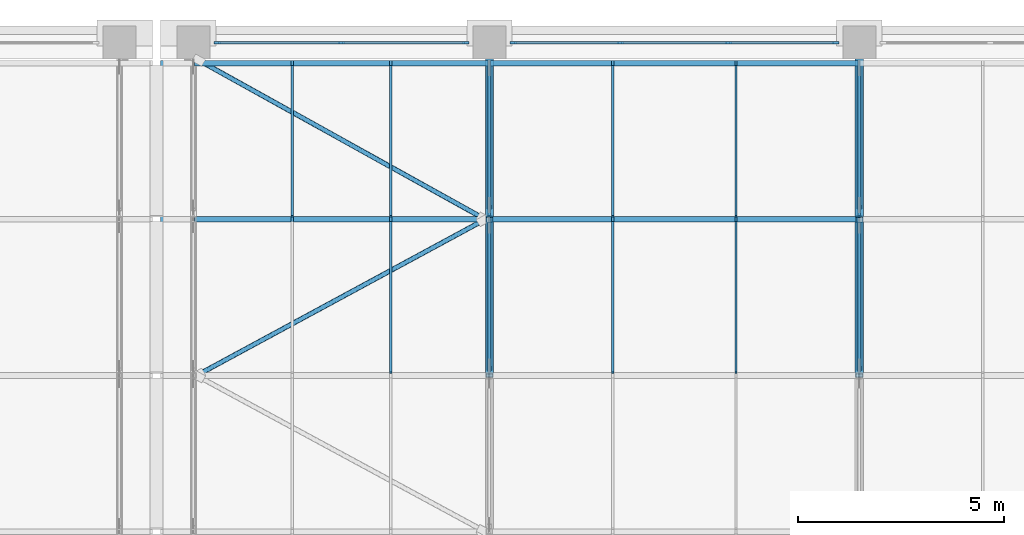
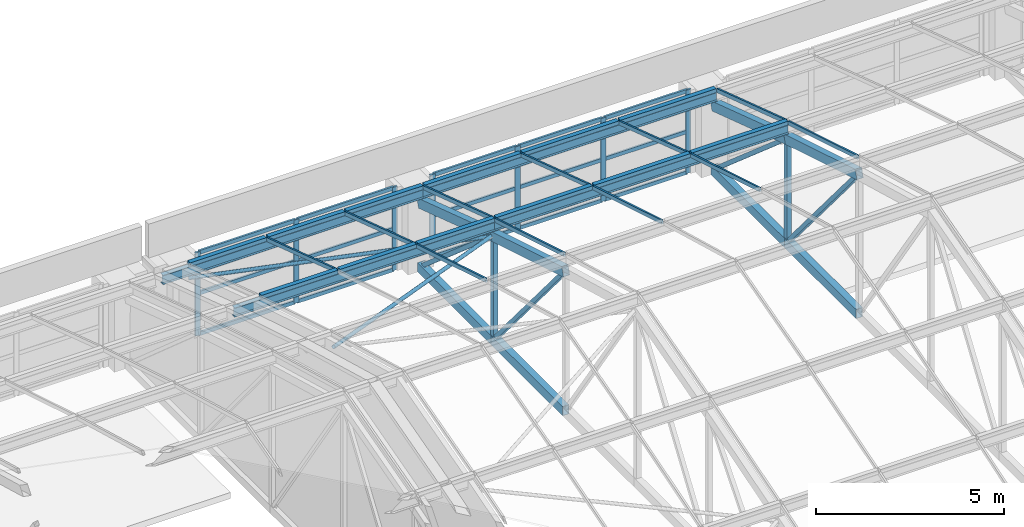
# One storey, part 29 of 82: 65 members, 3 elements without a shape of their own.
"""IFC4 building model written with IfcOpenShell, lengths in metres."""

from ifc_helpers import new_model, si_unit, direction, frame, origin, origin_2d, place, context, subcontext, project, spatial, rectangle, hollow_rectangle, hollow_circle, i_section, extrude, material, material_profile, profile_set, type_object, element, aggregate, save


model = new_model("IFC4")

# Units and contexts
model_context = context("Model", 3, precision=1e-05, world=origin(), true_north=direction((0.0, 1.0)))
body_context = subcontext(model_context, "Body", "Model", "MODEL_VIEW")
ifc_project = project(units=[si_unit("LENGTHUNIT", "METRE"), si_unit("AREAUNIT", "SQUARE_METRE"), si_unit("VOLUMEUNIT", "CUBIC_METRE"), si_unit("PLANEANGLEUNIT", "RADIAN"), si_unit("MASSUNIT", "GRAM", prefix="KILO")], contexts=[model_context])

# Site, building, storey
site_placement = place(None, origin())
site = spatial("IfcSite", under=ifc_project, at=site_placement, CompositionType="ELEMENT")
building_placement = place(site_placement, origin())
building = spatial("IfcBuilding", under=site, at=building_placement, Name="Aravalli Gate Trade Fair Centre", CompositionType="ELEMENT")
storey_placement = place(building_placement, frame((0.0, 0.0, 19.199951171875)))
storey = spatial("IfcBuildingStorey", under=building, at=storey_placement, Name="L04", CompositionType="ELEMENT", Elevation=19.199951171875)

# Members
ifc_material_1 = material(Name="Steel E350", Category="steel")
ifc_material_profile_1 = material_profile(ifc_material_1, hollow_circle(Radius=0.05712890625, WallThickness=0.00439453125, at=origin_2d()), Name="CHS 114.3x4.5")
ifc_profile_set_1 = profile_set([ifc_material_profile_1], Name="Steel E350")
member_type_1 = type_object("IfcMemberType", Name="CHS 114.3x4.5 roof plan brace", PredefinedType="BRACE", material=ifc_profile_set_1)
member_1_placement = place(storey_placement, frame((106.875, 124.89990234375, 4.699462890625), z_axis=(0.870176936991, 0.470713283668, -0.145674647442), x_axis=(-0.47578873559, 0.879559593823, 0.0)))
element("IfcMember", 1, at=member_1_placement, inside=storey, type_object=member_type_1, Name="Vault plan brace 13.5", PredefinedType="BRACE", context=body_context, shape_type="SweptSolid", body=[
    extrude(hollow_circle(Radius=0.05712890625, WallThickness=0.00439453125, at=origin_2d()), origin(), (0.0, 0.0, 1.0), 8.072998046875),
])
member_2_placement = place(storey_placement, frame((106.875, 132.60009765625, 2.265625), z_axis=(0.863793845174, -0.479568592363, 0.154512647568), x_axis=(0.485397826821, 0.874293400248, 0.0)))
element("IfcMember", 2, at=member_2_placement, inside=storey, type_object=member_type_1, Name="Vault plan brace 13.6", PredefinedType="BRACE", context=body_context, shape_type="SweptSolid", body=[
    extrude(hollow_circle(Radius=0.05712890625, WallThickness=0.00439453125, at=origin_2d()), origin(), (0.0, 0.0, 1.0), 8.132568359375),
])

# Curtain wall, members
ifc_material_2 = material(Name="Aluminium and glass", Category="aluminium")
curtain_wall_type_1 = type_object("IfcCurtainWallType", Name="Curtain wall 3000 module", PredefinedType="NOTDEFINED", material=ifc_material_2)
curtain_wall_1_placement = place(storey_placement, origin())
curtain_wall_1 = element("IfcCurtainWall", 3, at=curtain_wall_1_placement, inside=storey, type_object=curtain_wall_type_1, Name="Curtain wall north bay 13 L04", PredefinedType="NOTDEFINED")
ifc_material_3 = material(Name="Aluminium", Category="aluminium")
ifc_material_profile_2 = material_profile(ifc_material_3, rectangle(XDim=0.06005859375, YDim=0.159912109375, at=origin_2d()), Name="Concourse curtain wall mullion 60 x 160")
ifc_profile_set_2 = profile_set([ifc_material_profile_2], Name="Aluminium")
member_type_2 = type_object("IfcMemberType", Name="Concourse curtain wall mullion 60 x 160", PredefinedType="MULLION", material=ifc_profile_set_2)
member_3_placement = place(storey_placement, frame((107.3798828125, 133.0, 0.0), z_axis=(0.0, 0.0, 1.0), x_axis=(0.0, 1.0, 0.0)))
member_3 = element("IfcMember", 4, at=member_3_placement, type_object=member_type_2, Name="CW1 mullion 1", PredefinedType="MULLION", context=body_context, shape_type="SweptSolid", body=[
    extrude(rectangle(XDim=0.06005859375, YDim=0.159912109375, at=origin_2d()), origin(), (0.0, 0.0, 1.0), 2.699951171875),
])
member_4_placement = place(storey_placement, frame((110.39990234375, 133.0, 0.0), z_axis=(0.0, 0.0, 1.0), x_axis=(0.0, 1.0, 0.0)))
member_4 = element("IfcMember", 5, at=member_4_placement, type_object=member_type_2, Name="CW1 mullion 2", PredefinedType="MULLION", context=body_context, shape_type="SweptSolid", body=[
    extrude(rectangle(XDim=0.06005859375, YDim=0.159912109375, at=origin_2d()), origin(), (0.0, 0.0, 1.0), 2.699951171875),
])
member_5_placement = place(storey_placement, frame((113.419921875, 133.0, 0.0), z_axis=(0.0, 0.0, 1.0), x_axis=(0.0, 1.0, 0.0)))
member_5 = element("IfcMember", 6, at=member_5_placement, type_object=member_type_2, Name="CW1 mullion 3", PredefinedType="MULLION", context=body_context, shape_type="SweptSolid", body=[
    extrude(rectangle(XDim=0.06005859375, YDim=0.159912109375, at=origin_2d()), origin(), (0.0, 0.0, 1.0), 2.699951171875),
])

curtain_wall_2_placement = place(storey_placement, origin())
curtain_wall_2 = element("IfcCurtainWall", 7, at=curtain_wall_2_placement, inside=storey, type_object=curtain_wall_type_1, Name="Curtain wall north bay 14 L04", PredefinedType="NOTDEFINED")
member_6_placement = place(storey_placement, frame((114.580078125, 133.0, 0.0), z_axis=(0.0, 0.0, 1.0), x_axis=(0.0, 1.0, 0.0)))
member_6 = element("IfcMember", 8, at=member_6_placement, type_object=member_type_2, Name="CW1 mullion 1", PredefinedType="MULLION", context=body_context, shape_type="SweptSolid", body=[
    extrude(rectangle(XDim=0.06005859375, YDim=0.159912109375, at=origin_2d()), origin(), (0.0, 0.0, 1.0), 2.699951171875),
])
member_7_placement = place(storey_placement, frame((117.183349609375, 133.0, 0.0), z_axis=(0.0, 0.0, 1.0), x_axis=(0.0, 1.0, 0.0)))
member_7 = element("IfcMember", 9, at=member_7_placement, type_object=member_type_2, Name="CW1 mullion 2", PredefinedType="MULLION", context=body_context, shape_type="SweptSolid", body=[
    extrude(rectangle(XDim=0.06005859375, YDim=0.159912109375, at=origin_2d()), origin(), (0.0, 0.0, 1.0), 2.699951171875),
])
member_8_placement = place(storey_placement, frame((119.816650390625, 133.0, 0.0), z_axis=(0.0, 0.0, 1.0), x_axis=(0.0, 1.0, 0.0)))
member_8 = element("IfcMember", 10, at=member_8_placement, type_object=member_type_2, Name="CW1 mullion 3", PredefinedType="MULLION", context=body_context, shape_type="SweptSolid", body=[
    extrude(rectangle(XDim=0.06005859375, YDim=0.159912109375, at=origin_2d()), origin(), (0.0, 0.0, 1.0), 2.699951171875),
])
member_9_placement = place(storey_placement, frame((122.419921875, 133.0, 0.0), z_axis=(0.0, 0.0, 1.0), x_axis=(0.0, 1.0, 0.0)))
member_9 = element("IfcMember", 11, at=member_9_placement, type_object=member_type_2, Name="CW1 mullion 4", PredefinedType="MULLION", context=body_context, shape_type="SweptSolid", body=[
    extrude(rectangle(XDim=0.06005859375, YDim=0.159912109375, at=origin_2d()), origin(), (0.0, 0.0, 1.0), 2.699951171875),
])

# Member
ifc_material_profile_3 = material_profile(ifc_material_3, rectangle(XDim=0.06005859375, YDim=0.1201171875, at=origin_2d()), Name="Concourse curtain wall transom 60 x 120")
ifc_profile_set_3 = profile_set([ifc_material_profile_3], Name="Aluminium")
member_type_3 = type_object("IfcMemberType", Name="Concourse curtain wall transom 60 x 120", PredefinedType="USERDEFINED", material=ifc_profile_set_3)
member_10_placement = place(storey_placement, frame((107.409912109375, 133.0, 0.030029296875), z_axis=(1.0, 0.0, 0.0), x_axis=(0.0, 1.0, 0.0)))
member_10 = element("IfcMember", 12, at=member_10_placement, type_object=member_type_3, Name="CW1 transom 1.1", ObjectType="TRANSOM", PredefinedType="USERDEFINED", context=body_context, shape_type="SweptSolid", body=[
    extrude(rectangle(XDim=0.06005859375, YDim=0.1201171875, at=origin_2d()), origin(), (0.0, 0.0, 1.0), 2.960205078125),
])

member_11_placement = place(storey_placement, frame((107.409912109375, 133.0, 1.35009765625), z_axis=(1.0, 0.0, 0.0), x_axis=(0.0, 1.0, 0.0)))
member_11 = element("IfcMember", 13, at=member_11_placement, type_object=member_type_3, Name="CW1 transom 1.2", ObjectType="TRANSOM", PredefinedType="USERDEFINED", context=body_context, shape_type="SweptSolid", body=[
    extrude(rectangle(XDim=0.06005859375, YDim=0.1201171875, at=origin_2d()), origin(), (0.0, 0.0, 1.0), 2.960205078125),
])

member_12_placement = place(storey_placement, frame((107.409912109375, 133.0, 2.670166015625), z_axis=(1.0, 0.0, 0.0), x_axis=(0.0, 1.0, 0.0)))
member_12 = element("IfcMember", 14, at=member_12_placement, type_object=member_type_3, Name="CW1 transom 1.3", ObjectType="TRANSOM", PredefinedType="USERDEFINED", context=body_context, shape_type="SweptSolid", body=[
    extrude(rectangle(XDim=0.06005859375, YDim=0.1201171875, at=origin_2d()), origin(), (0.0, 0.0, 1.0), 2.960205078125),
])

member_13_placement = place(storey_placement, frame((110.429931640625, 133.0, 0.030029296875), z_axis=(1.0, 0.0, 0.0), x_axis=(0.0, 1.0, 0.0)))
member_13 = element("IfcMember", 15, at=member_13_placement, type_object=member_type_3, Name="CW1 transom 2.1", ObjectType="TRANSOM", PredefinedType="USERDEFINED", context=body_context, shape_type="SweptSolid", body=[
    extrude(rectangle(XDim=0.06005859375, YDim=0.1201171875, at=origin_2d()), origin(), (0.0, 0.0, 1.0), 2.9599609375),
])

member_14_placement = place(storey_placement, frame((110.429931640625, 133.0, 1.35009765625), z_axis=(1.0, 0.0, 0.0), x_axis=(0.0, 1.0, 0.0)))
member_14 = element("IfcMember", 16, at=member_14_placement, type_object=member_type_3, Name="CW1 transom 2.2", ObjectType="TRANSOM", PredefinedType="USERDEFINED", context=body_context, shape_type="SweptSolid", body=[
    extrude(rectangle(XDim=0.06005859375, YDim=0.1201171875, at=origin_2d()), origin(), (0.0, 0.0, 1.0), 2.9599609375),
])

member_15_placement = place(storey_placement, frame((110.429931640625, 133.0, 2.670166015625), z_axis=(1.0, 0.0, 0.0), x_axis=(0.0, 1.0, 0.0)))
member_15 = element("IfcMember", 17, at=member_15_placement, type_object=member_type_3, Name="CW1 transom 2.3", ObjectType="TRANSOM", PredefinedType="USERDEFINED", context=body_context, shape_type="SweptSolid", body=[
    extrude(rectangle(XDim=0.06005859375, YDim=0.1201171875, at=origin_2d()), origin(), (0.0, 0.0, 1.0), 2.9599609375),
])

aggregate(curtain_wall_1, [member_3, member_4, member_5, member_10, member_11, member_12, member_13, member_14, member_15])

member_16_placement = place(storey_placement, frame((114.610107421875, 133.0, 0.030029296875), z_axis=(1.0, 0.0, 0.0), x_axis=(0.0, 1.0, 0.0)))
member_16 = element("IfcMember", 18, at=member_16_placement, type_object=member_type_3, Name="CW1 transom 1.1", ObjectType="TRANSOM", PredefinedType="USERDEFINED", context=body_context, shape_type="SweptSolid", body=[
    extrude(rectangle(XDim=0.06005859375, YDim=0.1201171875, at=origin_2d()), origin(), (0.0, 0.0, 1.0), 2.543212890625),
])

member_17_placement = place(storey_placement, frame((114.610107421875, 133.0, 1.35009765625), z_axis=(1.0, 0.0, 0.0), x_axis=(0.0, 1.0, 0.0)))
member_17 = element("IfcMember", 19, at=member_17_placement, type_object=member_type_3, Name="CW1 transom 1.2", ObjectType="TRANSOM", PredefinedType="USERDEFINED", context=body_context, shape_type="SweptSolid", body=[
    extrude(rectangle(XDim=0.06005859375, YDim=0.1201171875, at=origin_2d()), origin(), (0.0, 0.0, 1.0), 2.543212890625),
])

member_18_placement = place(storey_placement, frame((114.610107421875, 133.0, 2.670166015625), z_axis=(1.0, 0.0, 0.0), x_axis=(0.0, 1.0, 0.0)))
member_18 = element("IfcMember", 20, at=member_18_placement, type_object=member_type_3, Name="CW1 transom 1.3", ObjectType="TRANSOM", PredefinedType="USERDEFINED", context=body_context, shape_type="SweptSolid", body=[
    extrude(rectangle(XDim=0.06005859375, YDim=0.1201171875, at=origin_2d()), origin(), (0.0, 0.0, 1.0), 2.543212890625),
])

member_19_placement = place(storey_placement, frame((117.21337890625, 133.0, 0.030029296875), z_axis=(1.0, 0.0, 0.0), x_axis=(0.0, 1.0, 0.0)))
member_19 = element("IfcMember", 21, at=member_19_placement, type_object=member_type_3, Name="CW1 transom 2.1", ObjectType="TRANSOM", PredefinedType="USERDEFINED", context=body_context, shape_type="SweptSolid", body=[
    extrude(rectangle(XDim=0.06005859375, YDim=0.1201171875, at=origin_2d()), origin(), (0.0, 0.0, 1.0), 2.5732421875),
])

member_20_placement = place(storey_placement, frame((117.21337890625, 133.0, 1.35009765625), z_axis=(1.0, 0.0, 0.0), x_axis=(0.0, 1.0, 0.0)))
member_20 = element("IfcMember", 22, at=member_20_placement, type_object=member_type_3, Name="CW1 transom 2.2", ObjectType="TRANSOM", PredefinedType="USERDEFINED", context=body_context, shape_type="SweptSolid", body=[
    extrude(rectangle(XDim=0.06005859375, YDim=0.1201171875, at=origin_2d()), origin(), (0.0, 0.0, 1.0), 2.5732421875),
])

member_21_placement = place(storey_placement, frame((117.21337890625, 133.0, 2.670166015625), z_axis=(1.0, 0.0, 0.0), x_axis=(0.0, 1.0, 0.0)))
member_21 = element("IfcMember", 23, at=member_21_placement, type_object=member_type_3, Name="CW1 transom 2.3", ObjectType="TRANSOM", PredefinedType="USERDEFINED", context=body_context, shape_type="SweptSolid", body=[
    extrude(rectangle(XDim=0.06005859375, YDim=0.1201171875, at=origin_2d()), origin(), (0.0, 0.0, 1.0), 2.5732421875),
])

member_22_placement = place(storey_placement, frame((119.8466796875, 133.0, 0.030029296875), z_axis=(1.0, 0.0, 0.0), x_axis=(0.0, 1.0, 0.0)))
member_22 = element("IfcMember", 24, at=member_22_placement, type_object=member_type_3, Name="CW1 transom 3.1", ObjectType="TRANSOM", PredefinedType="USERDEFINED", context=body_context, shape_type="SweptSolid", body=[
    extrude(rectangle(XDim=0.06005859375, YDim=0.1201171875, at=origin_2d()), origin(), (0.0, 0.0, 1.0), 2.543212890625),
])

member_23_placement = place(storey_placement, frame((119.8466796875, 133.0, 1.35009765625), z_axis=(1.0, 0.0, 0.0), x_axis=(0.0, 1.0, 0.0)))
member_23 = element("IfcMember", 25, at=member_23_placement, type_object=member_type_3, Name="CW1 transom 3.2", ObjectType="TRANSOM", PredefinedType="USERDEFINED", context=body_context, shape_type="SweptSolid", body=[
    extrude(rectangle(XDim=0.06005859375, YDim=0.1201171875, at=origin_2d()), origin(), (0.0, 0.0, 1.0), 2.543212890625),
])

member_24_placement = place(storey_placement, frame((119.8466796875, 133.0, 2.670166015625), z_axis=(1.0, 0.0, 0.0), x_axis=(0.0, 1.0, 0.0)))
member_24 = element("IfcMember", 26, at=member_24_placement, type_object=member_type_3, Name="CW1 transom 3.3", ObjectType="TRANSOM", PredefinedType="USERDEFINED", context=body_context, shape_type="SweptSolid", body=[
    extrude(rectangle(XDim=0.06005859375, YDim=0.1201171875, at=origin_2d()), origin(), (0.0, 0.0, 1.0), 2.543212890625),
])

aggregate(curtain_wall_2, [member_6, member_7, member_8, member_9, member_16, member_17, member_18, member_19, member_20, member_21, member_22, member_23, member_24])

# Members
ifc_material_profile_4 = material_profile(ifc_material_1, i_section(OverallWidth=0.139892578125, OverallDepth=0.300048828125, WebThickness=0.0078125, FlangeThickness=0.01318359375, at=origin_2d()), Name="ISMB 300")
ifc_profile_set_4 = profile_set([ifc_material_profile_4], Name="Steel E350")
member_type_4 = type_object("IfcMemberType", Name="ISMB 300 roof purlin", PredefinedType="PURLIN", material=ifc_profile_set_4)
for number, where, z_axis, x_axis, name in (
    (27, (106.0, 128.699951171875, 3.851318359375), (1.0, 0.0, 0.0), (0.0, 1.0, 0.0), "Vault purlin 12A-13 F5"),
    (28, (106.0, 132.5, 2.60302734375), (1.0, 0.0, 0.0), (0.0, 1.0, 0.0), "Vault purlin 12A-13 F6"),
):
    element("IfcMember", number, at=place(storey_placement, frame(where, z_axis=z_axis, x_axis=x_axis)), inside=storey, type_object=member_type_4, Name=name, PredefinedType="PURLIN", context=body_context, shape_type="SweptSolid", body=[
        extrude(i_section(OverallWidth=0.139892578125, OverallDepth=0.300048828125, WebThickness=0.0078125, FlangeThickness=0.01318359375, at=origin_2d()), origin(), (0.0, 0.0, 1.0), 8.0),
    ])
for number, where, z_axis, x_axis, name in (
    (29, (114.0, 128.699951171875, 3.851318359375), (1.0, 0.0, 0.0), (0.0, 1.0, 0.0), "Vault purlin 13-14 F5"),
    (30, (114.0, 132.5, 2.60302734375), (1.0, 0.0, 0.0), (0.0, 1.0, 0.0), "Vault purlin 13-14 F6"),
):
    element("IfcMember", number, at=place(storey_placement, frame(where, z_axis=z_axis, x_axis=x_axis)), inside=storey, type_object=member_type_4, Name=name, PredefinedType="PURLIN", context=body_context, shape_type="SweptSolid", body=[
        extrude(i_section(OverallWidth=0.139892578125, OverallDepth=0.300048828125, WebThickness=0.0078125, FlangeThickness=0.01318359375, at=origin_2d()), origin(), (0.0, 0.0, 1.0), 9.0),
    ])
ifc_material_profile_5 = material_profile(ifc_material_1, hollow_rectangle(XDim=0.199951171875, YDim=0.300048828125, WallThickness=0.011962890625, at=origin_2d()), Name="RHS 300x200x12")
ifc_profile_set_5 = profile_set([ifc_material_profile_5], Name="Steel E350")
member_type_5 = type_object("IfcMemberType", Name="RHS 300x200x12 CT1 truss chord", PredefinedType="CHORD", material=ifc_profile_set_5)
member_25_placement = place(storey_placement, frame((114.0, 124.89990234375, 4.67333984375), z_axis=(0.0, 0.957138110877, -0.289631898634), x_axis=(-1.0, 0.0, 0.0)))
element("IfcMember", 31, at=member_25_placement, inside=storey, type_object=member_type_5, Name="Concourse vault truss CT1 line 13 top chord T5", PredefinedType="CHORD", context=body_context, shape_type="SweptSolid", body=[
    extrude(hollow_rectangle(XDim=0.199951171875, YDim=0.300048828125, WallThickness=0.011962890625, at=origin_2d()), origin(), (0.0, 0.0, 1.0), 3.97021484375),
])
member_26_placement = place(storey_placement, frame((114.0, 124.89990234375, 0.150146484375), z_axis=(0.0, 1.0, 0.0), x_axis=(-1.0, 0.0, 0.0)))
element("IfcMember", 32, at=member_26_placement, inside=storey, type_object=member_type_5, Name="Concourse vault truss CT1 line 13 bottom chord B5", PredefinedType="CHORD", context=body_context, shape_type="SweptSolid", body=[
    extrude(hollow_rectangle(XDim=0.199951171875, YDim=0.300048828125, WallThickness=0.011962890625, at=origin_2d()), origin(), (0.0, 0.0, 1.0), 3.800048828125),
])
member_27_placement = place(storey_placement, frame((114.0, 128.699951171875, 3.522216796875), z_axis=(0.0, 0.949924628731, -0.312479118872), x_axis=(-1.0, 0.0, 0.0)))
element("IfcMember", 33, at=member_27_placement, inside=storey, type_object=member_type_5, Name="Concourse vault truss CT1 line 13 top chord T6", PredefinedType="CHORD", context=body_context, shape_type="SweptSolid", body=[
    extrude(hollow_rectangle(XDim=0.199951171875, YDim=0.300048828125, WallThickness=0.011962890625, at=origin_2d()), origin(), (0.0, 0.0, 1.0), 4.105712890625),
])
member_28_placement = place(storey_placement, frame((114.0, 128.699951171875, 0.150146484375), z_axis=(0.0, 1.0, 0.0), x_axis=(-1.0, 0.0, 0.0)))
element("IfcMember", 34, at=member_28_placement, inside=storey, type_object=member_type_5, Name="Concourse vault truss CT1 line 13 bottom chord B6", PredefinedType="CHORD", context=body_context, shape_type="SweptSolid", body=[
    extrude(hollow_rectangle(XDim=0.199951171875, YDim=0.300048828125, WallThickness=0.011962890625, at=origin_2d()), origin(), (0.0, 0.0, 1.0), 3.900146484375),
])
member_29_placement = place(storey_placement, frame((123.0, 124.89990234375, 4.67333984375), z_axis=(0.0, 0.957138110877, -0.289631898634), x_axis=(-1.0, 0.0, 0.0)))
element("IfcMember", 35, at=member_29_placement, inside=storey, type_object=member_type_5, Name="Concourse vault truss CT1 line 14 top chord T5", PredefinedType="CHORD", context=body_context, shape_type="SweptSolid", body=[
    extrude(hollow_rectangle(XDim=0.199951171875, YDim=0.300048828125, WallThickness=0.011962890625, at=origin_2d()), origin(), (0.0, 0.0, 1.0), 3.97021484375),
])
member_30_placement = place(storey_placement, frame((123.0, 124.89990234375, 0.150146484375), z_axis=(0.0, 1.0, 0.0), x_axis=(-1.0, 0.0, 0.0)))
element("IfcMember", 36, at=member_30_placement, inside=storey, type_object=member_type_5, Name="Concourse vault truss CT1 line 14 bottom chord B5", PredefinedType="CHORD", context=body_context, shape_type="SweptSolid", body=[
    extrude(hollow_rectangle(XDim=0.199951171875, YDim=0.300048828125, WallThickness=0.011962890625, at=origin_2d()), origin(), (0.0, 0.0, 1.0), 3.800048828125),
])
member_31_placement = place(storey_placement, frame((123.0, 128.699951171875, 3.522216796875), z_axis=(0.0, 0.949924628731, -0.312479118872), x_axis=(-1.0, 0.0, 0.0)))
element("IfcMember", 37, at=member_31_placement, inside=storey, type_object=member_type_5, Name="Concourse vault truss CT1 line 14 top chord T6", PredefinedType="CHORD", context=body_context, shape_type="SweptSolid", body=[
    extrude(hollow_rectangle(XDim=0.199951171875, YDim=0.300048828125, WallThickness=0.011962890625, at=origin_2d()), origin(), (0.0, 0.0, 1.0), 4.105712890625),
])
member_32_placement = place(storey_placement, frame((123.0, 128.699951171875, 0.150146484375), z_axis=(0.0, 1.0, 0.0), x_axis=(-1.0, 0.0, 0.0)))
element("IfcMember", 38, at=member_32_placement, inside=storey, type_object=member_type_5, Name="Concourse vault truss CT1 line 14 bottom chord B6", PredefinedType="CHORD", context=body_context, shape_type="SweptSolid", body=[
    extrude(hollow_rectangle(XDim=0.199951171875, YDim=0.300048828125, WallThickness=0.011962890625, at=origin_2d()), origin(), (0.0, 0.0, 1.0), 3.900146484375),
])
ifc_material_profile_6 = material_profile(ifc_material_1, hollow_rectangle(XDim=0.125, YDim=0.125, WallThickness=0.006103515625, at=origin_2d()), Name="SHS 125x125x6")
ifc_profile_set_6 = profile_set([ifc_material_profile_6], Name="Steel E350")
member_type_6 = type_object("IfcMemberType", Name="SHS 125x125x6 CT1 truss diagonal", PredefinedType="BRACE", material=ifc_profile_set_6)
member_33_placement = place(storey_placement, frame((114.0, 125.076416015625, 4.463134765625), z_axis=(0.0, 0.643253159982, -0.765653558845), x_axis=(-1.0, 0.0, 0.0)))
element("IfcMember", 39, at=member_33_placement, inside=storey, type_object=member_type_6, Name="Concourse vault truss CT1 line 13 diagonal D5", PredefinedType="BRACE", context=body_context, shape_type="SweptSolid", body=[
    extrude(hollow_rectangle(XDim=0.125, YDim=0.125, WallThickness=0.006103515625, at=origin_2d()), origin(), (0.0, 0.0, 1.0), 5.437255859375),
])
member_34_placement = place(storey_placement, frame((114.0, 128.994873046875, 3.267333984375), z_axis=(0.0, 0.756430814482, -0.654073713661), x_axis=(-1.0, 0.0, 0.0)))
element("IfcMember", 40, at=member_34_placement, inside=storey, type_object=member_type_6, Name="Concourse vault truss CT1 line 13 diagonal D6", PredefinedType="BRACE", context=body_context, shape_type="SweptSolid", body=[
    extrude(hollow_rectangle(XDim=0.125, YDim=0.125, WallThickness=0.006103515625, at=origin_2d()), origin(), (0.0, 0.0, 1.0), 4.53662109375),
])
member_35_placement = place(storey_placement, frame((123.0, 125.076416015625, 4.463134765625), z_axis=(0.0, 0.643253159982, -0.765653558845), x_axis=(-1.0, 0.0, 0.0)))
element("IfcMember", 41, at=member_35_placement, inside=storey, type_object=member_type_6, Name="Concourse vault truss CT1 line 14 diagonal D5", PredefinedType="BRACE", context=body_context, shape_type="SweptSolid", body=[
    extrude(hollow_rectangle(XDim=0.125, YDim=0.125, WallThickness=0.006103515625, at=origin_2d()), origin(), (0.0, 0.0, 1.0), 5.437255859375),
])
member_36_placement = place(storey_placement, frame((123.0, 128.994873046875, 3.267333984375), z_axis=(0.0, 0.756430814482, -0.654073713661), x_axis=(-1.0, 0.0, 0.0)))
element("IfcMember", 42, at=member_36_placement, inside=storey, type_object=member_type_6, Name="Concourse vault truss CT1 line 14 diagonal D6", PredefinedType="BRACE", context=body_context, shape_type="SweptSolid", body=[
    extrude(hollow_rectangle(XDim=0.125, YDim=0.125, WallThickness=0.006103515625, at=origin_2d()), origin(), (0.0, 0.0, 1.0), 4.53662109375),
])
ifc_material_profile_7 = material_profile(ifc_material_1, hollow_rectangle(XDim=0.14990234375, YDim=0.14990234375, WallThickness=0.006103515625, at=origin_2d()), Name="SHS 150x150x6")
ifc_profile_set_7 = profile_set([ifc_material_profile_7], Name="Steel E350")
member_type_7 = type_object("IfcMemberType", Name="SHS 150x150x6 CT1 truss post", PredefinedType="POST", material=ifc_profile_set_7)
for number, where, z_axis, x_axis, name in (
    (43, (114.0, 128.699951171875, 0.300048828125), (0.0, 0.0, 1.0), (1.0, 0.0, 0.0), "Concourse vault truss CT1 line 13 post V5"),
    (44, (123.0, 128.699951171875, 0.300048828125), (0.0, 0.0, 1.0), (1.0, 0.0, 0.0), "Concourse vault truss CT1 line 14 post V5"),
):
    element("IfcMember", number, at=place(storey_placement, frame(where, z_axis=z_axis, x_axis=x_axis)), inside=storey, type_object=member_type_7, Name=name, PredefinedType="POST", context=body_context, shape_type="SweptSolid", body=[
        extrude(hollow_rectangle(XDim=0.14990234375, YDim=0.14990234375, WallThickness=0.006103515625, at=origin_2d()), origin(), (0.0, 0.0, 1.0), 3.064208984375),
    ])
ifc_material_profile_8 = material_profile(ifc_material_3, rectangle(XDim=0.139892578125, YDim=0.1201171875, at=origin_2d()), Name="Vault fold cap 140 x 120")
ifc_profile_set_8 = profile_set([ifc_material_profile_8], Name="Aluminium")
member_type_8 = type_object("IfcMemberType", Name="Vault fold cap 140 x 120", PredefinedType="USERDEFINED", material=ifc_profile_set_8)
for number, where, z_axis, x_axis, name in (
    (45, (106.830078125, 128.699951171875, 4.061279296875), (1.0, 0.0, 0.0), (0.0, 1.0, 0.0), "Vault fold cap e2.5"),
    (46, (106.830078125, 132.5, 2.81298828125), (1.0, 0.0, 0.0), (0.0, 1.0, 0.0), "Vault fold cap e2.6"),
):
    element("IfcMember", number, at=place(storey_placement, frame(where, z_axis=z_axis, x_axis=x_axis)), inside=storey, type_object=member_type_8, Name=name, ObjectType="FOLD CAP", PredefinedType="USERDEFINED", context=body_context, shape_type="SweptSolid", body=[
        extrude(rectangle(XDim=0.139892578125, YDim=0.1201171875, at=origin_2d()), origin(), (0.0, 0.0, 1.0), 2.33984375),
    ])
for number, where, z_axis, x_axis, name in (
    (47, (109.22998046875, 128.699951171875, 4.061279296875), (1.0, 0.0, 0.0), (0.0, 1.0, 0.0), "Vault fold cap e3.5"),
    (48, (109.22998046875, 132.5, 2.81298828125), (1.0, 0.0, 0.0), (0.0, 1.0, 0.0), "Vault fold cap e3.6"),
    (49, (111.6298828125, 128.699951171875, 4.061279296875), (1.0, 0.0, 0.0), (0.0, 1.0, 0.0), "Vault fold cap e4.5"),
    (50, (111.6298828125, 132.5, 2.81298828125), (1.0, 0.0, 0.0), (0.0, 1.0, 0.0), "Vault fold cap e4.6"),
):
    element("IfcMember", number, at=place(storey_placement, frame(where, z_axis=z_axis, x_axis=x_axis)), inside=storey, type_object=member_type_8, Name=name, ObjectType="FOLD CAP", PredefinedType="USERDEFINED", context=body_context, shape_type="SweptSolid", body=[
        extrude(rectangle(XDim=0.139892578125, YDim=0.1201171875, at=origin_2d()), origin(), (0.0, 0.0, 1.0), 2.340087890625),
    ])
for number, where, z_axis, x_axis, name in (
    (51, (114.030029296875, 128.699951171875, 4.061279296875), (1.0, 0.0, 0.0), (0.0, 1.0, 0.0), "Vault fold cap e5.5"),
    (52, (114.030029296875, 132.5, 2.81298828125), (1.0, 0.0, 0.0), (0.0, 1.0, 0.0), "Vault fold cap e5.6"),
    (53, (117.030029296875, 128.699951171875, 4.061279296875), (1.0, 0.0, 0.0), (0.0, 1.0, 0.0), "Vault fold cap e6.5"),
    (54, (117.030029296875, 132.5, 2.81298828125), (1.0, 0.0, 0.0), (0.0, 1.0, 0.0), "Vault fold cap e6.6"),
    (55, (120.030029296875, 128.699951171875, 4.061279296875), (1.0, 0.0, 0.0), (0.0, 1.0, 0.0), "Vault fold cap e7.5"),
    (56, (120.030029296875, 132.5, 2.81298828125), (1.0, 0.0, 0.0), (0.0, 1.0, 0.0), "Vault fold cap e7.6"),
):
    element("IfcMember", number, at=place(storey_placement, frame(where, z_axis=z_axis, x_axis=x_axis)), inside=storey, type_object=member_type_8, Name=name, ObjectType="FOLD CAP", PredefinedType="USERDEFINED", context=body_context, shape_type="SweptSolid", body=[
        extrude(rectangle(XDim=0.139892578125, YDim=0.1201171875, at=origin_2d()), origin(), (0.0, 0.0, 1.0), 2.93994140625),
    ])

# Curtain wall, members
curtain_wall_type_2 = type_object("IfcCurtainWallType", Name="Vault curtain wall, sloped glazing", PredefinedType="NOTDEFINED", material=ifc_material_2)
curtain_wall_3_placement = place(storey_placement, origin())
curtain_wall_3 = element("IfcCurtainWall", 57, at=curtain_wall_3_placement, inside=storey, type_object=curtain_wall_type_2, Name="Vault curtain wall e", PredefinedType="NOTDEFINED")
ifc_material_profile_9 = material_profile(ifc_material_3, rectangle(XDim=0.06005859375, YDim=0.1201171875, at=origin_2d()), Name="Vault glazing bar 60 x 120")
ifc_profile_set_9 = profile_set([ifc_material_profile_9], Name="Aluminium")
member_type_9 = type_object("IfcMemberType", Name="Vault glazing bar 60 x 120", PredefinedType="USERDEFINED", material=ifc_profile_set_9)
member_37_placement = place(storey_placement, frame((109.199951171875, 128.77001953125, 4.013916015625), z_axis=(0.0, 0.949930492103, -0.31246129388), x_axis=(-1.0, 0.0, 0.0)))
member_37 = element("IfcMember", 58, at=member_37_placement, type_object=member_type_9, Name="Vault glazing bar e3.6", ObjectType="GLAZING BAR", PredefinedType="USERDEFINED", context=body_context, shape_type="SweptSolid", body=[
    extrude(rectangle(XDim=0.06005859375, YDim=0.1201171875, at=origin_2d()), origin(), (0.0, 0.0, 1.0), 3.852783203125),
])
member_38_placement = place(storey_placement, frame((111.60009765625, 124.969970703125, 5.166259765625), z_axis=(0.0, 0.957125834694, -0.289672464279), x_axis=(-1.0, 0.0, 0.0)))
member_38 = element("IfcMember", 59, at=member_38_placement, type_object=member_type_9, Name="Vault glazing bar e4.5", ObjectType="GLAZING BAR", PredefinedType="USERDEFINED", context=body_context, shape_type="SweptSolid", body=[
    extrude(rectangle(XDim=0.06005859375, YDim=0.1201171875, at=origin_2d()), origin(), (0.0, 0.0, 1.0), 3.823974609375),
])
member_39_placement = place(storey_placement, frame((111.60009765625, 128.77001953125, 4.013916015625), z_axis=(0.0, 0.949930492103, -0.31246129388), x_axis=(-1.0, 0.0, 0.0)))
member_39 = element("IfcMember", 60, at=member_39_placement, type_object=member_type_9, Name="Vault glazing bar e4.6", ObjectType="GLAZING BAR", PredefinedType="USERDEFINED", context=body_context, shape_type="SweptSolid", body=[
    extrude(rectangle(XDim=0.06005859375, YDim=0.1201171875, at=origin_2d()), origin(), (0.0, 0.0, 1.0), 3.852783203125),
])
member_40_placement = place(storey_placement, frame((114.0, 124.969970703125, 5.166259765625), z_axis=(0.0, 0.957125834694, -0.289672464279), x_axis=(-1.0, 0.0, 0.0)))
member_40 = element("IfcMember", 61, at=member_40_placement, type_object=member_type_9, Name="Vault glazing bar e5.5", ObjectType="GLAZING BAR", PredefinedType="USERDEFINED", context=body_context, shape_type="SweptSolid", body=[
    extrude(rectangle(XDim=0.06005859375, YDim=0.1201171875, at=origin_2d()), origin(), (0.0, 0.0, 1.0), 3.823974609375),
])
member_41_placement = place(storey_placement, frame((114.0, 128.77001953125, 4.013916015625), z_axis=(0.0, 0.949930492103, -0.31246129388), x_axis=(-1.0, 0.0, 0.0)))
member_41 = element("IfcMember", 62, at=member_41_placement, type_object=member_type_9, Name="Vault glazing bar e5.6", ObjectType="GLAZING BAR", PredefinedType="USERDEFINED", context=body_context, shape_type="SweptSolid", body=[
    extrude(rectangle(XDim=0.06005859375, YDim=0.1201171875, at=origin_2d()), origin(), (0.0, 0.0, 1.0), 3.852783203125),
])
member_42_placement = place(storey_placement, frame((117.0, 124.969970703125, 5.166259765625), z_axis=(0.0, 0.957125834694, -0.289672464279), x_axis=(-1.0, 0.0, 0.0)))
member_42 = element("IfcMember", 63, at=member_42_placement, type_object=member_type_9, Name="Vault glazing bar e6.5", ObjectType="GLAZING BAR", PredefinedType="USERDEFINED", context=body_context, shape_type="SweptSolid", body=[
    extrude(rectangle(XDim=0.06005859375, YDim=0.1201171875, at=origin_2d()), origin(), (0.0, 0.0, 1.0), 3.823974609375),
])
member_43_placement = place(storey_placement, frame((117.0, 128.77001953125, 4.013916015625), z_axis=(0.0, 0.949930492103, -0.31246129388), x_axis=(-1.0, 0.0, 0.0)))
member_43 = element("IfcMember", 64, at=member_43_placement, type_object=member_type_9, Name="Vault glazing bar e6.6", ObjectType="GLAZING BAR", PredefinedType="USERDEFINED", context=body_context, shape_type="SweptSolid", body=[
    extrude(rectangle(XDim=0.06005859375, YDim=0.1201171875, at=origin_2d()), origin(), (0.0, 0.0, 1.0), 3.852783203125),
])
member_44_placement = place(storey_placement, frame((120.0, 124.969970703125, 5.166259765625), z_axis=(0.0, 0.957125834694, -0.289672464279), x_axis=(-1.0, 0.0, 0.0)))
member_44 = element("IfcMember", 65, at=member_44_placement, type_object=member_type_9, Name="Vault glazing bar e7.5", ObjectType="GLAZING BAR", PredefinedType="USERDEFINED", context=body_context, shape_type="SweptSolid", body=[
    extrude(rectangle(XDim=0.06005859375, YDim=0.1201171875, at=origin_2d()), origin(), (0.0, 0.0, 1.0), 3.823974609375),
])
member_45_placement = place(storey_placement, frame((120.0, 128.77001953125, 4.013916015625), z_axis=(0.0, 0.949930492103, -0.31246129388), x_axis=(-1.0, 0.0, 0.0)))
member_45 = element("IfcMember", 66, at=member_45_placement, type_object=member_type_9, Name="Vault glazing bar e7.6", ObjectType="GLAZING BAR", PredefinedType="USERDEFINED", context=body_context, shape_type="SweptSolid", body=[
    extrude(rectangle(XDim=0.06005859375, YDim=0.1201171875, at=origin_2d()), origin(), (0.0, 0.0, 1.0), 3.852783203125),
])
member_46_placement = place(storey_placement, frame((123.0, 124.969970703125, 5.166259765625), z_axis=(0.0, 0.957125834694, -0.289672464279), x_axis=(-1.0, 0.0, 0.0)))
member_46 = element("IfcMember", 67, at=member_46_placement, type_object=member_type_9, Name="Vault glazing bar e8.5", ObjectType="GLAZING BAR", PredefinedType="USERDEFINED", context=body_context, shape_type="SweptSolid", body=[
    extrude(rectangle(XDim=0.06005859375, YDim=0.1201171875, at=origin_2d()), origin(), (0.0, 0.0, 1.0), 3.823974609375),
])
member_47_placement = place(storey_placement, frame((123.0, 128.77001953125, 4.013916015625), z_axis=(0.0, 0.949930492103, -0.31246129388), x_axis=(-1.0, 0.0, 0.0)))
member_47 = element("IfcMember", 68, at=member_47_placement, type_object=member_type_9, Name="Vault glazing bar e8.6", ObjectType="GLAZING BAR", PredefinedType="USERDEFINED", context=body_context, shape_type="SweptSolid", body=[
    extrude(rectangle(XDim=0.06005859375, YDim=0.1201171875, at=origin_2d()), origin(), (0.0, 0.0, 1.0), 3.852783203125),
])
aggregate(curtain_wall_3, [member_37, member_38, member_39, member_40, member_41, member_42, member_43, member_44, member_45, member_46, member_47])

save(model, "model.ifc")
